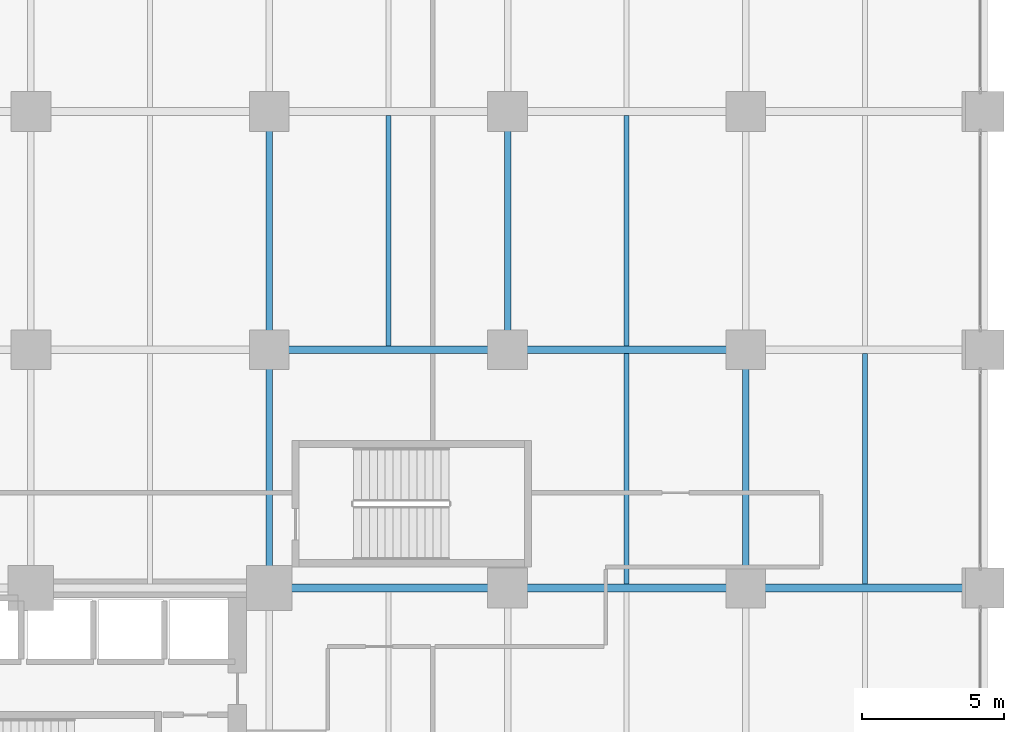
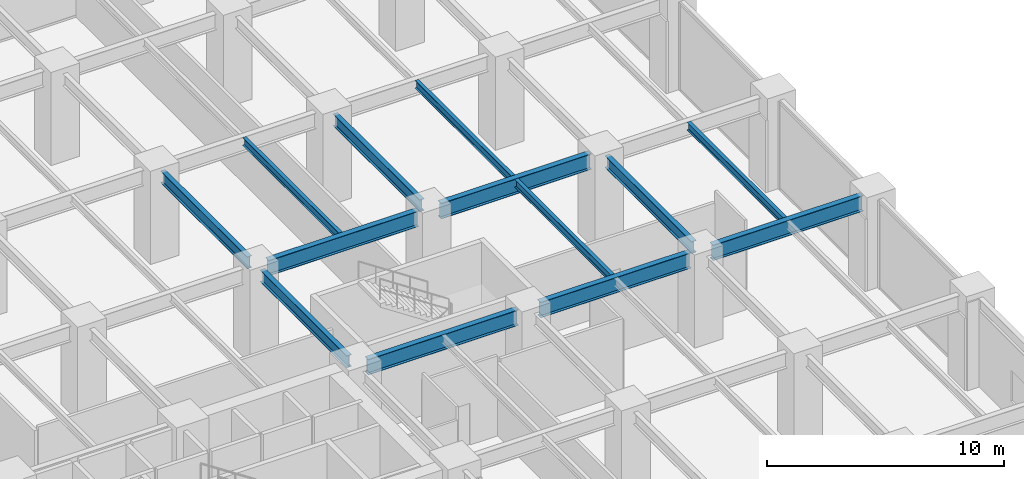
# One storey, part 7 of 23: 13 beams.
"""IFC4 building model written with IfcOpenShell, lengths in metres."""

import ifcopenshell
import ifcopenshell.guid

model = None  # the IFC model being written
_history = None  # IfcOwnerHistory: only IFC2X3 demands one
_inside = {}  # id of a spatial element -> (the spatial element, [elements in it])
_under = {}  # id of a project, library or spatial element -> (it, [spatial elements below it])
_declared = {}  # id of a project -> (the project, [libraries it declares])
_typed = {}  # id of a type object -> (the type object, [elements of that type])
_made_of = {}  # id of a material, layer set ... -> (it, [elements and type objects made of it])


def new_model(schema):
    """Start an empty IFC model of exactly this schema.

    Asked for "IFC4X3", IfcOpenShell would pick the latest addendum, in which some entities
    have other attributes; the version numbers below select the first issue.
    IFC2X3 requires an IfcOwnerHistory on every rooted entity: one is made here for all.
    """
    global model, _history
    if schema == "IFC4X3":
        model = ifcopenshell.file(schema_version=(4, 3, 0, 0))
    else:
        model = ifcopenshell.file(schema=schema)
    _inside.clear()
    _under.clear()
    _declared.clear()
    _typed.clear()
    _made_of.clear()
    _history = None
    if model.schema == "IFC2X3":
        org = make("IfcOrganization", Name="unknown")
        user = make(
            "IfcPersonAndOrganization",
            ThePerson=make("IfcPerson", FamilyName="unknown"),
            TheOrganization=org,
        )
        app = make(
            "IfcApplication",
            ApplicationDeveloper=org,
            Version="unknown",
            ApplicationFullName="unknown",
            ApplicationIdentifier="unknown",
        )
        _history = make(
            "IfcOwnerHistory",
            OwningUser=user,
            OwningApplication=app,
            ChangeAction="ADDED",
            CreationDate=0,
        )
    return model


def make(cls, **values):
    """One entity of the class cls with the attributes given. An attribute that is None is left unset."""
    return model.create_entity(
        cls, **{name: value for name, value in values.items() if value is not None}
    )


def rooted(cls, **values):
    """An entity with a GlobalId (a new one), such as an element, a storey or a relation."""
    return make(cls, GlobalId=ifcopenshell.guid.new(), OwnerHistory=_history, **values)


def si_unit(unit_type, name, prefix=None):
    """IfcSIUnit, for example si_unit("LENGTHUNIT", "METRE", prefix="MILLI")."""
    return make("IfcSIUnit", UnitType=unit_type, Prefix=prefix, Name=name)


def assignment(units):
    """IfcUnitAssignment: the units of a project."""
    return None if units is None else make("IfcUnitAssignment", Units=units)


def point(xyz):
    """IfcCartesianPoint."""
    return None if xyz is None else make("IfcCartesianPoint", Coordinates=xyz)


def direction(xyz):
    """IfcDirection."""
    return None if xyz is None else make("IfcDirection", DirectionRatios=xyz)


def frame(location, z_axis=None, x_axis=None):
    """IfcAxis2Placement3D, a coordinate frame: its origin and axes. An axis left out is left unset."""
    return make(
        "IfcAxis2Placement3D",
        Location=point(location),
        Axis=direction(z_axis),
        RefDirection=direction(x_axis),
    )


def frame_2d(location, x_axis=None):
    """IfcAxis2Placement2D, a coordinate frame in the plane: its origin and x axis."""
    return make(
        "IfcAxis2Placement2D", Location=point(location), RefDirection=direction(x_axis)
    )


def origin():
    """The frame at (0, 0, 0) with its axes left unset."""
    return frame((0.0, 0.0, 0.0))


def origin_2d():
    """The frame at (0, 0) in the plane with its x axis left unset."""
    return frame_2d((0.0, 0.0))


def place(relative_to, where):
    """IfcLocalPlacement: puts the frame where relative to a parent placement (None: the world)."""
    return make(
        "IfcLocalPlacement", PlacementRelTo=relative_to, RelativePlacement=where
    )


def context(
    kind, dimensions, precision=None, world=None, true_north=None, identifier=None
):
    """IfcGeometricRepresentationContext, for example the 3D "Model" context."""
    return make(
        "IfcGeometricRepresentationContext",
        ContextIdentifier=identifier,
        ContextType=kind,
        CoordinateSpaceDimension=dimensions,
        Precision=precision,
        WorldCoordinateSystem=world,
        TrueNorth=true_north,
    )


def subcontext(parent, identifier, kind, view, scale=None):
    """IfcGeometricRepresentationSubContext, for example "Body" below "Model"."""
    return make(
        "IfcGeometricRepresentationSubContext",
        ContextIdentifier=identifier,
        ContextType=kind,
        ParentContext=parent,
        TargetScale=scale,
        TargetView=view,
    )


def project(units=None, contexts=None):
    """IfcProject with its units and contexts."""
    return rooted(
        "IfcProject",
        Name="project",
        RepresentationContexts=contexts,
        UnitsInContext=assignment(units),
    )


def spatial(cls, under=None, at=None, **own):
    """A site, building, storey or space (cls), placed at a placement, below another one or the project."""
    s = rooted(cls, ObjectPlacement=at, **own)
    if under is not None:
        _under.setdefault(under.id(), (under, []))[1].append(s)
    return s


def profile(cls, at=None, kind="AREA", **sizes):
    """A parametric profile (cls). Its sizes go by their IFC names, for example OverallWidth=200.0."""
    return make(cls, ProfileType=kind, Position=at, **sizes)


def i_section(**sizes):
    """IfcIShapeProfileDef."""
    return profile("IfcIShapeProfileDef", **sizes)


def extrude(swept, where, along, depth):
    """IfcExtrudedAreaSolid: the profile swept, set in the frame where, extruded along a direction by depth."""
    return make(
        "IfcExtrudedAreaSolid",
        SweptArea=swept,
        Position=where,
        ExtrudedDirection=direction(along),
        Depth=depth,
    )


def shape(context_of_items, identifier, shape_type, items):
    """IfcShapeRepresentation: the items that make up one representation, for example the "Body"."""
    return make(
        "IfcShapeRepresentation",
        ContextOfItems=context_of_items,
        RepresentationIdentifier=identifier,
        RepresentationType=shape_type,
        Items=items,
    )


def material(Name=None, Category=None):
    """IfcMaterial."""
    return make("IfcMaterial", Name=Name, Category=Category)


def material_profile(
    of_material, cross_section, Name=None, Category=None, Priority=None
):
    """IfcMaterialProfile: a cross section and its material."""
    return make(
        "IfcMaterialProfile",
        Name=Name,
        Material=of_material,
        Profile=cross_section,
        Priority=Priority,
        Category=Category,
    )


def profile_set(profiles, Name=None, composite=None):
    """IfcMaterialProfileSet."""
    return make(
        "IfcMaterialProfileSet",
        Name=Name,
        MaterialProfiles=profiles,
        CompositeProfile=composite,
    )


def made_of(thing, what):
    """Note that an element or type object is made of a material, layer set ...; save() writes the relation."""
    if what is not None:
        _made_of.setdefault(what.id(), (what, []))[1].append(thing)
    return thing


def type_object(cls, material=None, **own):
    """A type object (cls), such as IfcWallType, which elements share."""
    return made_of(rooted(cls, **own), material)


def element(
    cls,
    number,
    at=None,
    inside=None,
    cuts=None,
    type_object=None,
    material=None,
    context=None,
    identifier="Body",
    shape_type=None,
    held_by="IfcProductDefinitionShape",
    body=None,
    shapes=None,
    **own,
):
    """One element of the class cls, such as IfcWall. Its Tag is "e" and its number.

    at: its placement. inside: the storey or other place that contains it. cuts: it is an
    opening in that element (IfcRelVoidsElement). A single representation is given by context,
    identifier, shape_type and body (its items); several are given by shapes. held_by: the class
    of the entity that holds the representations. save() writes the other relations.
    """
    e = rooted(cls, Tag="e%d" % number, ObjectPlacement=at, **own)
    if body is not None:
        shapes = [shape(context, identifier, shape_type, body)]
    if shapes is not None:
        e.Representation = make(held_by, Representations=shapes)
    if inside is not None:
        _inside.setdefault(inside.id(), (inside, []))[1].append(e)
    if cuts is not None:
        rooted(
            "IfcRelVoidsElement", RelatingBuildingElement=cuts, RelatedOpeningElement=e
        )
    if type_object is not None:
        _typed.setdefault(type_object.id(), (type_object, []))[1].append(e)
    return made_of(e, material)


def aggregate(whole, parts):
    """IfcRelAggregates: a whole, such as a stair, and the parts it consists of."""
    return rooted("IfcRelAggregates", RelatingObject=whole, RelatedObjects=parts)


def save(model, path):
    """Write the relations noted so far, then the file.

    IfcRelAggregates (storeys below a building ...), IfcRelContainedInSpatialStructure (elements
    in a storey), IfcRelDefinesByType, IfcRelAssociatesMaterial and IfcRelDeclares: one each for
    every whole, place, type object, material and project.
    """
    for whole, parts in _under.values():
        aggregate(whole, parts)
    for where, things in _inside.values():
        rooted(
            "IfcRelContainedInSpatialStructure",
            RelatedElements=things,
            RelatingStructure=where,
        )
    for kind, things in _typed.values():
        rooted("IfcRelDefinesByType", RelatedObjects=things, RelatingType=kind)
    for what, things in _made_of.values():
        rooted("IfcRelAssociatesMaterial", RelatedObjects=things, RelatingMaterial=what)
    for by, libraries in _declared.values():
        rooted("IfcRelDeclares", RelatingContext=by, RelatedDefinitions=libraries)
    model.write(path)


model = new_model("IFC4")

# Units and contexts
model_context = context("Model", 3, precision=1e-05, world=origin(), true_north=direction((0.0, 1.0)))
body_context = subcontext(model_context, "Body", "Model", "MODEL_VIEW")
ifc_project = project(units=[si_unit("LENGTHUNIT", "METRE"), si_unit("AREAUNIT", "SQUARE_METRE"), si_unit("VOLUMEUNIT", "CUBIC_METRE"), si_unit("PLANEANGLEUNIT", "RADIAN"), si_unit("MASSUNIT", "GRAM", prefix="KILO")], contexts=[model_context])

# Site, building, storey
site_placement = place(None, origin())
site = spatial("IfcSite", under=ifc_project, at=site_placement, CompositionType="ELEMENT")
building_placement = place(site_placement, origin())
building = spatial("IfcBuilding", under=site, at=building_placement, Name="Nerrivon Quay Data Exchange", CompositionType="ELEMENT")
storey_placement = place(building_placement, frame((0.0, 0.0, 5.39990234375)))
storey = spatial("IfcBuildingStorey", under=building, at=storey_placement, Name="L01", CompositionType="ELEMENT", Elevation=5.39990234375)

# Beams
ifc_material = material(Name="Steel Grade 350", Category="steel")
ifc_material_profile_1 = material_profile(ifc_material, i_section(OverallWidth=0.22900390625, OverallDepth=0.612060546875, WebThickness=0.011962890625, FlangeThickness=0.01953125, FilletRadius=0.013916015625, at=origin_2d()), Name="610UB125")
ifc_profile_set_1 = profile_set([ifc_material_profile_1], Name="Steel Grade 350")
beam_type_1 = type_object("IfcBeamType", Name="BM-G1-610UB125", PredefinedType="BEAM", material=ifc_profile_set_1)
beam_1_placement = place(storey_placement, frame((33.60009765625, 17.340087890625, 4.218994140625), z_axis=(0.0, 1.0, 0.0), x_axis=(-1.0, 0.0, 0.0)))
element("IfcBeam", 1, at=beam_1_placement, inside=storey, type_object=beam_type_1, Name="L01 NS Girder X=33.6 (16.8..25.2)", PredefinedType="BEAM", context=body_context, shape_type="SweptSolid", body=[
    extrude(i_section(OverallWidth=0.22900390625, OverallDepth=0.612060546875, WebThickness=0.011962890625, FlangeThickness=0.01953125, FilletRadius=0.013916015625, at=origin_2d()), origin(), (0.0, 0.0, 1.0), 7.31982421875),
])
for number, where, z_axis, x_axis, name in (
    (2, (33.60009765625, 25.739990234375, 4.218994140625), (0.0, 1.0, 0.0), (-1.0, 0.0, 0.0), "L01 NS Girder X=33.6 (25.2..33.6)"),
    (3, (42.0, 25.739990234375, 4.218994140625), (0.0, 1.0, 0.0), (-1.0, 0.0, 0.0), "L01 NS Girder X=42.0 (25.2..33.6)"),
):
    element("IfcBeam", number, at=place(storey_placement, frame(where, z_axis=z_axis, x_axis=x_axis)), inside=storey, type_object=beam_type_1, Name=name, PredefinedType="BEAM", context=body_context, shape_type="SweptSolid", body=[
        extrude(i_section(OverallWidth=0.22900390625, OverallDepth=0.612060546875, WebThickness=0.011962890625, FlangeThickness=0.01953125, FilletRadius=0.013916015625, at=origin_2d()), origin(), (0.0, 0.0, 1.0), 7.320068359375),
    ])
beam_2_placement = place(storey_placement, frame((50.39990234375, 17.340087890625, 4.218994140625), z_axis=(0.0, 1.0, 0.0), x_axis=(-1.0, 0.0, 0.0)))
element("IfcBeam", 4, at=beam_2_placement, inside=storey, type_object=beam_type_1, Name="L01 NS Girder X=50.4 (16.8..25.2)", PredefinedType="BEAM", context=body_context, shape_type="SweptSolid", body=[
    extrude(i_section(OverallWidth=0.22900390625, OverallDepth=0.612060546875, WebThickness=0.011962890625, FlangeThickness=0.01953125, FilletRadius=0.013916015625, at=origin_2d()), origin(), (0.0, 0.0, 1.0), 7.31982421875),
])
ifc_material_profile_2 = material_profile(ifc_material, i_section(OverallWidth=0.27490234375, OverallDepth=0.800048828125, WebThickness=0.010009765625, FlangeThickness=0.02001953125, at=origin_2d()), Name="800WB146")
ifc_profile_set_2 = profile_set([ifc_material_profile_2], Name="Steel Grade 350")
beam_type_2 = type_object("IfcBeamType", Name="BM-G8-800WB146", PredefinedType="BEAM", material=ifc_profile_set_2)
for number, where, z_axis, x_axis, name in (
    (5, (34.139892578125, 16.800048828125, 4.125), (1.0, 0.0, 0.0), (0.0, 1.0, 0.0), "L01 EW Girder Y=16.8 (33.6..42.0)"),
    (6, (42.5400390625, 16.800048828125, 4.125), (1.0, 0.0, 0.0), (0.0, 1.0, 0.0), "L01 EW Girder Y=16.8 (42.0..50.4)"),
    (7, (50.93994140625, 16.800048828125, 4.125), (1.0, 0.0, 0.0), (0.0, 1.0, 0.0), "L01 EW Girder Y=16.8 (50.4..58.8)"),
    (8, (34.139892578125, 25.199951171875, 4.125), (1.0, 0.0, 0.0), (0.0, 1.0, 0.0), "L01 EW Girder Y=25.2 (33.6..42.0)"),
    (9, (42.5400390625, 25.199951171875, 4.125), (1.0, 0.0, 0.0), (0.0, 1.0, 0.0), "L01 EW Girder Y=25.2 (42.0..50.4)"),
):
    element("IfcBeam", number, at=place(storey_placement, frame(where, z_axis=z_axis, x_axis=x_axis)), inside=storey, type_object=beam_type_2, Name=name, PredefinedType="BEAM", context=body_context, shape_type="SweptSolid", body=[
        extrude(i_section(OverallWidth=0.27490234375, OverallDepth=0.800048828125, WebThickness=0.010009765625, FlangeThickness=0.02001953125, at=origin_2d()), origin(), (0.0, 0.0, 1.0), 7.320068359375),
    ])
ifc_material_profile_3 = material_profile(ifc_material, i_section(OverallWidth=0.177978515625, OverallDepth=0.403076171875, WebThickness=0.007568359375, FlangeThickness=0.010986328125, FilletRadius=0.011474609375, at=origin_2d()), Name="410UB53.7")
ifc_profile_set_3 = profile_set([ifc_material_profile_3], Name="Steel Grade 350")
beam_type_3 = type_object("IfcBeamType", Name="BM-J2-410UB54", PredefinedType="JOIST", material=ifc_profile_set_3)
for number, where, z_axis, x_axis, name in (
    (10, (37.800048828125, 25.33740234375, 4.323486328125), (0.0, 1.0, 0.0), (-1.0, 0.0, 0.0), "L01 Secondary Joist X=37.8 (25.2..33.6)"),
    (11, (46.199951171875, 16.9375, 4.323486328125), (0.0, 1.0, 0.0), (-1.0, 0.0, 0.0), "L01 Secondary Joist X=46.2 (16.8..25.2)"),
    (12, (46.199951171875, 25.33740234375, 4.323486328125), (0.0, 1.0, 0.0), (-1.0, 0.0, 0.0), "L01 Secondary Joist X=46.2 (25.2..33.6)"),
    (13, (54.60009765625, 16.9375, 4.323486328125), (0.0, 1.0, 0.0), (-1.0, 0.0, 0.0), "L01 Secondary Joist X=54.6 (16.8..25.2)"),
):
    element("IfcBeam", number, at=place(storey_placement, frame(where, z_axis=z_axis, x_axis=x_axis)), inside=storey, type_object=beam_type_3, Name=name, PredefinedType="JOIST", context=body_context, shape_type="SweptSolid", body=[
        extrude(i_section(OverallWidth=0.177978515625, OverallDepth=0.403076171875, WebThickness=0.007568359375, FlangeThickness=0.010986328125, FilletRadius=0.011474609375, at=origin_2d()), origin(), (0.0, 0.0, 1.0), 8.125),
    ])

save(model, "model.ifc")
